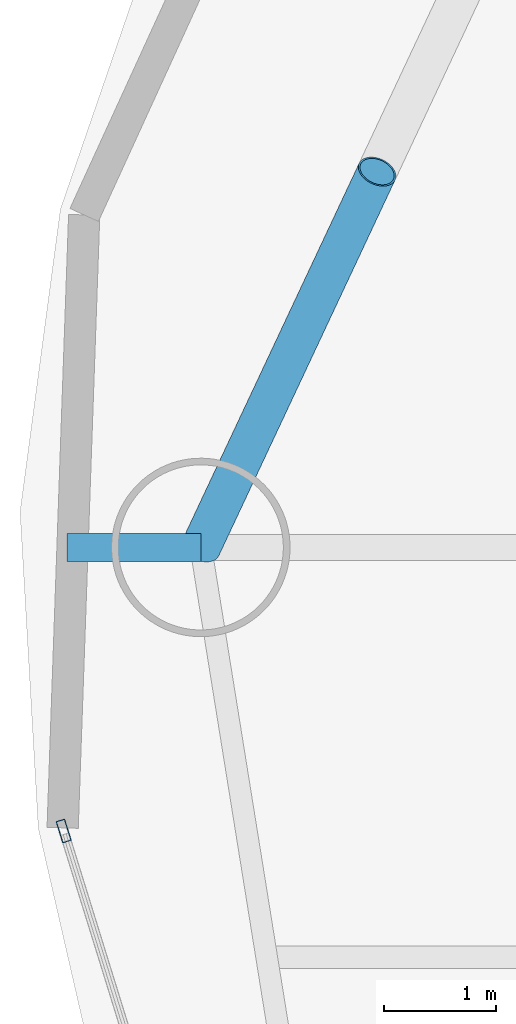
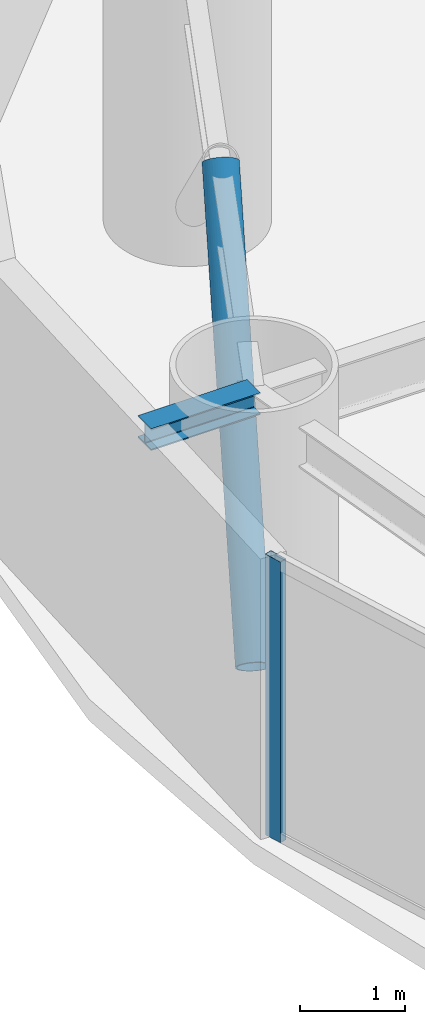
# One storey, part 6 of 30: 2 members, 1 beam, 1 element without a shape of its own.
"""IFC4 building model written with IfcOpenShell, lengths in metres."""

from ifc_helpers import new_model, si_unit, direction, frame, origin, origin_2d, place, context, subcontext, project, spatial, hollow_rectangle, hollow_circle, i_section, extrude, material, layer, layer_set, material_profile, profile_set, type_object, element, aggregate, save


model = new_model("IFC4")

# Units and contexts
model_context = context("Model", 3, precision=1e-05, world=origin(), true_north=direction((0.0, 1.0)))
body_context = subcontext(model_context, "Body", "Model", "MODEL_VIEW")
ifc_project = project(units=[si_unit("LENGTHUNIT", "METRE"), si_unit("AREAUNIT", "SQUARE_METRE"), si_unit("VOLUMEUNIT", "CUBIC_METRE"), si_unit("PLANEANGLEUNIT", "RADIAN"), si_unit("MASSUNIT", "GRAM", prefix="KILO")], contexts=[model_context])

# Site, building, storey
site_placement = place(None, origin())
site = spatial("IfcSite", under=ifc_project, at=site_placement, CompositionType="ELEMENT")
building_placement = place(site_placement, origin())
building = spatial("IfcBuilding", under=site, at=building_placement, Name="Bramvorn Convention Spire", CompositionType="ELEMENT")
storey_placement = place(building_placement, frame((0.0, 0.0, 86.89990234375)))
storey = spatial("IfcBuildingStorey", under=building, at=storey_placement, Name="L20", CompositionType="ELEMENT", Elevation=86.89990234375)

# Beam
ifc_material_1 = material(Name="Steel CSA G40.21 Grade 350 (350W)", Category="steel")
ifc_material_profile_1 = material_profile(ifc_material_1, i_section(OverallWidth=0.25390625, OverallDepth=0.2529296875, WebThickness=0.008544921875, FlangeThickness=0.01416015625, FilletRadius=0.011962890625, at=origin_2d()))
ifc_profile_set_1 = profile_set([ifc_material_profile_1], Name="Steel CSA G40.21 Grade 350 (350W) - W250X73")
beam_type = type_object("IfcBeamType", Name="BM-W250X73", PredefinedType="BEAM", material=ifc_profile_set_1)
beam_placement = place(storey_placement, frame((9.480224609375, 30.00830078125, 3.12353515625), z_axis=(-1.0, 0.0, 0.0), x_axis=(0.0, -1.0, 0.0)))
element("IfcBeam", 1, at=beam_placement, inside=storey, type_object=beam_type, Name="L20 slab-edge cantilever tip beam MC09", PredefinedType="BEAM", context=body_context, shape_type="SweptSolid", body=[
    extrude(i_section(OverallWidth=0.25390625, OverallDepth=0.2529296875, WebThickness=0.008544921875, FlangeThickness=0.01416015625, FilletRadius=0.011962890625, at=origin_2d()), origin(), (0.0, 0.0, 1.0), 1.1982421875),
])

# Curtain wall, member
ifc_material_2 = material(Name="Anodised Bronze Unitised Curtain Wall", Category="aluminium")
ifc_layer = layer(ifc_material_2, 0.179931640625)
ifc_layer_set = layer_set([ifc_layer], Name="Anodised Bronze Unitised Curtain Wall - CW-HTL-FRIT")
curtain_wall_type = type_object("IfcCurtainWallType", Name="CW-HTL-FRIT", PredefinedType="USERDEFINED", material=ifc_layer_set)
curtain_wall_placement = place(storey_placement, origin())
curtain_wall = element("IfcCurtainWall", 2, at=curtain_wall_placement, inside=storey, type_object=curtain_wall_type, Name="L20 fritted glass curtain wall 14", ObjectType="UNITISED CURTAIN WALL", PredefinedType="USERDEFINED")
ifc_material_3 = material(Name="Anodised Bronze Aluminium 6063-T6", Category="aluminium")
ifc_material_profile_2 = material_profile(ifc_material_3, hollow_rectangle(XDim=0.080078125, YDim=0.199951171875, WallThickness=0.00390625, InnerFilletRadius=0.0009765625, OuterFilletRadius=0.00390625, at=origin_2d()))
ifc_profile_set_2 = profile_set([ifc_material_profile_2], Name="Anodised Bronze Aluminium 6063-T6 - CWM80X200")
member_type_1 = type_object("IfcMemberType", Name="CW-MUL-180", PredefinedType="MULLION", material=ifc_profile_set_2)
member_1_placement = place(storey_placement, frame((8.250732421875, 27.46630859375, 0.0), z_axis=(0.0, 0.0, 1.0), x_axis=(-0.95516715956, -0.296067048654, 0.0)))
member_1 = element("IfcMember", 3, at=member_1_placement, type_object=member_type_1, Name="CW2 mullion 2", PredefinedType="MULLION", context=body_context, shape_type="SweptSolid", body=[
    extrude(hollow_rectangle(XDim=0.080078125, YDim=0.199951171875, WallThickness=0.00390625, InnerFilletRadius=0.0009765625, OuterFilletRadius=0.00390625, at=origin_2d()), origin(), (0.0, 0.0, 1.0), 3.25),
])
aggregate(curtain_wall, [member_1])

# Member
ifc_material_profile_3 = material_profile(ifc_material_1, hollow_circle(Radius=0.177734375, WallThickness=0.015869140625, at=origin_2d()))
ifc_profile_set_3 = profile_set([ifc_material_profile_3], Name="Steel CSA G40.21 Grade 350 (350W) - CHS356X16")
member_type_2 = type_object("IfcMemberType", Name="MBR-CHS356X16", PredefinedType="BRACE", material=ifc_profile_set_3)
member_2_placement = place(storey_placement, frame((9.480224609375, 30.00830078125, 0.0), z_axis=(0.319909760159, 0.681871297566, 0.657806414465), x_axis=(-0.905314694797, 0.424741454752, 0.0)))
element("IfcMember", 4, at=member_2_placement, inside=storey, type_object=member_type_2, Name="L20 perimeter Gothic lancet brace 8B", PredefinedType="BRACE", context=body_context, shape_type="SweptSolid", body=[
    extrude(hollow_circle(Radius=0.177734375, WallThickness=0.015869140625, at=origin_2d()), origin(), (0.0, 0.0, 1.0), 4.940673828125),
])

save(model, "model.ifc")
